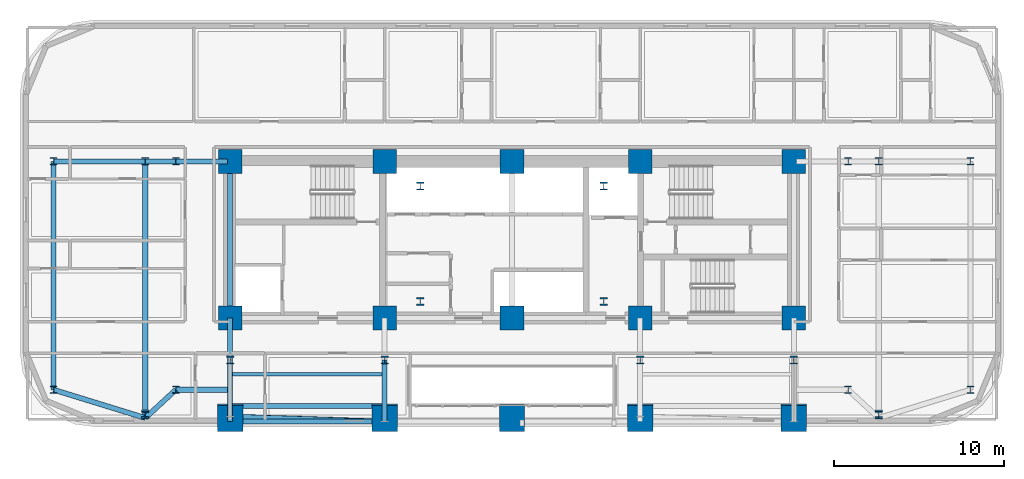
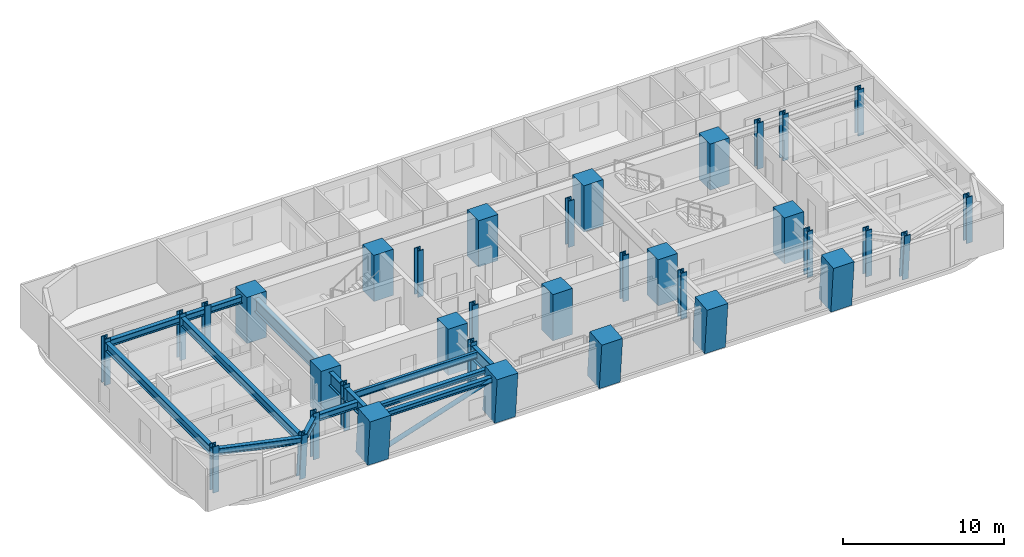
# One storey, part 1 of 16: 35 columns, 15 beams, 1 member.
"""IFC4 building model written with IfcOpenShell, lengths in metres."""

from ifc_helpers import new_model, si_unit, direction, frame, origin, origin_2d, place, context, subcontext, project, spatial, rectangle, hollow_circle, i_section, extrude, material, material_profile, profile_set, type_object, element, save


model = new_model("IFC4")

# Units and contexts
model_context = context("Model", 3, precision=1e-05, world=origin(), true_north=direction((0.0, 1.0)))
body_context = subcontext(model_context, "Body", "Model", "MODEL_VIEW")
ifc_project = project(units=[si_unit("LENGTHUNIT", "METRE"), si_unit("AREAUNIT", "SQUARE_METRE"), si_unit("VOLUMEUNIT", "CUBIC_METRE"), si_unit("PLANEANGLEUNIT", "RADIAN"), si_unit("MASSUNIT", "GRAM", prefix="KILO")], contexts=[model_context])

# Site, building, storey
site_placement = place(None, origin())
site = spatial("IfcSite", under=ifc_project, at=site_placement, CompositionType="ELEMENT")
building_placement = place(site_placement, origin())
building = spatial("IfcBuilding", under=site, at=building_placement, Name="Zarnavel Station Tower", CompositionType="ELEMENT")
storey_placement = place(building_placement, frame((0.0, 0.0, 46.5)))
storey = spatial("IfcBuildingStorey", under=building, at=storey_placement, Name="L12", CompositionType="ELEMENT", Elevation=46.5)

# Columns
ifc_material_1 = material(Name="Steel S460M", Category="steel")
ifc_material_profile_1 = material_profile(ifc_material_1, i_section(OverallWidth=0.424072265625, OverallDepth=0.449951171875, WebThickness=0.041015625, FlangeThickness=0.06494140625, FilletRadius=0.014892578125, at=origin_2d()), Name="HD400x509")
ifc_profile_set_1 = profile_set([ifc_material_profile_1], Name="Steel S460M")
column_type_1 = type_object("IfcColumnType", Name="EC_HD509", PredefinedType="COLUMN", material=ifc_profile_set_1)
for number, where, z_axis, x_axis, name in (
    (1, (1.800048828125, 23.60009765625, 0.0), (0.0, 0.0, 1.0), (1.0, 0.0, 0.0), "L12 Outer Wing South Column 1"),
    (2, (1.800048828125, 37.050048828125, 0.0), (0.0, 0.0, 1.0), (1.0, 0.0, 0.0), "L12 Outer Wing North Column 1"),
):
    element("IfcColumn", number, at=place(storey_placement, frame(where, z_axis=z_axis, x_axis=x_axis)), inside=storey, type_object=column_type_1, Name=name, PredefinedType="COLUMN", context=body_context, shape_type="SweptSolid", body=[
        extrude(i_section(OverallWidth=0.424072265625, OverallDepth=0.449951171875, WebThickness=0.041015625, FlangeThickness=0.06494140625, FilletRadius=0.014892578125, at=origin_2d()), origin(), (0.0, 0.0, 1.0), 3.5),
    ])
for number, where, z_axis, x_axis, name in (
    (3, (7.199951171875, 22.197509765625, 0.0), (0.0, -0.079891690793, 0.996803550226), (1.0, 0.0, 0.0), "L12 Raked Wing Column 2"),
    (4, (50.39990234375, 22.197509765625, 0.0), (0.0, -0.079891690793, 0.996803550226), (1.0, 0.0, 0.0), "L12 Raked Wing Column 3"),
):
    element("IfcColumn", number, at=place(storey_placement, frame(where, z_axis=z_axis, x_axis=x_axis)), inside=storey, type_object=column_type_1, Name=name, PredefinedType="COLUMN", context=body_context, shape_type="SweptSolid", body=[
        extrude(i_section(OverallWidth=0.424072265625, OverallDepth=0.449951171875, WebThickness=0.041015625, FlangeThickness=0.06494140625, FilletRadius=0.014892578125, at=origin_2d()), origin(), (0.0, 0.0, 1.0), 3.51123046875),
    ])
for number, where, z_axis, x_axis, name in (
    (5, (55.800048828125, 23.60009765625, 0.0), (0.0, 0.0, 1.0), (1.0, 0.0, 0.0), "L12 Outer Wing South Column 4"),
    (6, (55.800048828125, 37.050048828125, 0.0), (0.0, 0.0, 1.0), (1.0, 0.0, 0.0), "L12 Outer Wing North Column 4"),
):
    element("IfcColumn", number, at=place(storey_placement, frame(where, z_axis=z_axis, x_axis=x_axis)), inside=storey, type_object=column_type_1, Name=name, PredefinedType="COLUMN", context=body_context, shape_type="SweptSolid", body=[
        extrude(i_section(OverallWidth=0.424072265625, OverallDepth=0.449951171875, WebThickness=0.041015625, FlangeThickness=0.06494140625, FilletRadius=0.014892578125, at=origin_2d()), origin(), (0.0, 0.0, 1.0), 3.5),
    ])
ifc_material_2 = material(Name="Steel S460M", Category="steel")
ifc_material_profile_2 = material_profile(ifc_material_2, i_section(OverallWidth=0.424072265625, OverallDepth=0.449951171875, WebThickness=0.041015625, FlangeThickness=0.06494140625, FilletRadius=0.014892578125, at=origin_2d()), Name="HD400x509")
ifc_profile_set_2 = profile_set([ifc_material_profile_2], Name="Steel S460M")
column_type_2 = type_object("IfcColumnType", Name="IC_HD509", PredefinedType="COLUMN", material=ifc_profile_set_2)
for number, where, z_axis, x_axis, name in (
    (7, (23.39990234375, 28.800048828125, 0.0), (0.0, 0.0, 1.0), (1.0, 0.0, 0.0), "L12 Mast Spine Column 1"),
    (8, (34.199951171875, 28.800048828125, 0.0), (0.0, 0.0, 1.0), (1.0, 0.0, 0.0), "L12 Mast Spine Column 2"),
    (9, (34.199951171875, 35.60009765625, 0.0), (0.0, 0.0, 1.0), (1.0, 0.0, 0.0), "L12 Mast Spine Column 3"),
    (10, (23.39990234375, 35.60009765625, 0.0), (0.0, 0.0, 1.0), (1.0, 0.0, 0.0), "L12 Mast Spine Column 4"),
    (11, (12.199951171875, 25.35009765625, 0.0), (0.0, 0.0, 1.0), (1.0, 0.0, 0.0), "L12 Inner Spine Column 1"),
    (12, (21.300048828125, 25.35009765625, 0.0), (0.0, 0.0, 1.0), (1.0, 0.0, 0.0), "L12 Inner Spine Column 2"),
    (13, (36.35009765625, 25.35009765625, 0.0), (0.0, 0.0, 1.0), (1.0, 0.0, 0.0), "L12 Inner Spine Column 4"),
    (14, (45.39990234375, 25.35009765625, 0.0), (0.0, 0.0, 1.0), (1.0, 0.0, 0.0), "L12 Inner Spine Column 5"),
    (15, (9.0, 23.60009765625, 0.0), (0.0, 0.0, 1.0), (1.0, 0.0, 0.0), "L12 Inner Wing Spine Column 1-1"),
    (16, (9.0, 37.050048828125, 0.0), (0.0, 0.0, 1.0), (1.0, 0.0, 0.0), "L12 Inner Wing Spine Column 1-2"),
    (17, (48.60009765625, 23.60009765625, 0.0), (0.0, 0.0, 1.0), (1.0, 0.0, 0.0), "L12 Inner Wing Spine Column 2-1"),
    (18, (48.60009765625, 37.050048828125, 0.0), (0.0, 0.0, 1.0), (1.0, 0.0, 0.0), "L12 Inner Wing Spine Column 2-2"),
    (19, (7.199951171875, 37.050048828125, 0.0), (0.0, 0.0, 1.0), (1.0, 0.0, 0.0), "L12 Outer Wing North Column 2"),
    (20, (50.39990234375, 37.050048828125, 0.0), (0.0, 0.0, 1.0), (1.0, 0.0, 0.0), "L12 Outer Wing North Column 3"),
):
    element("IfcColumn", number, at=place(storey_placement, frame(where, z_axis=z_axis, x_axis=x_axis)), inside=storey, type_object=column_type_2, Name=name, PredefinedType="COLUMN", context=body_context, shape_type="SweptSolid", body=[
        extrude(i_section(OverallWidth=0.424072265625, OverallDepth=0.449951171875, WebThickness=0.041015625, FlangeThickness=0.06494140625, FilletRadius=0.014892578125, at=origin_2d()), origin(), (0.0, 0.0, 1.0), 3.5),
    ])
ifc_material_3 = material(Name="Concrete C60/75", Category="concrete")
ifc_material_profile_3 = material_profile(ifc_material_3, rectangle(XDim=1.39990234375, YDim=1.39990234375, at=origin_2d()), Name="RC1400x1400")
ifc_profile_set_3 = profile_set([ifc_material_profile_3], Name="Concrete C60/75")
column_type_3 = type_object("IfcColumnType", Name="IC_RC1400", PredefinedType="COLUMN", material=ifc_profile_set_3)
for number, where, z_axis, x_axis, name in (
    (21, (12.199951171875, 27.820068359375, 0.0), (0.0, 0.0, 1.0), (1.0, 0.0, 0.0), "L12 Core Spine Column 1-1"),
    (22, (12.199951171875, 37.050048828125, 0.0), (0.0, 0.0, 1.0), (1.0, 0.0, 0.0), "L12 Core Spine Column 1-2"),
    (23, (21.300048828125, 27.820068359375, 0.0), (0.0, 0.0, 1.0), (1.0, 0.0, 0.0), "L12 Core Spine Column 2-1"),
    (24, (21.300048828125, 37.050048828125, 0.0), (0.0, 0.0, 1.0), (1.0, 0.0, 0.0), "L12 Core Spine Column 2-2"),
    (25, (28.800048828125, 27.820068359375, 0.0), (0.0, 0.0, 1.0), (1.0, 0.0, 0.0), "L12 Core Spine Column 3-1"),
    (26, (28.800048828125, 37.050048828125, 0.0), (0.0, 0.0, 1.0), (1.0, 0.0, 0.0), "L12 Core Spine Column 3-2"),
    (27, (36.35009765625, 27.820068359375, 0.0), (0.0, 0.0, 1.0), (1.0, 0.0, 0.0), "L12 Core Spine Column 4-1"),
    (28, (36.35009765625, 37.050048828125, 0.0), (0.0, 0.0, 1.0), (1.0, 0.0, 0.0), "L12 Core Spine Column 4-2"),
    (29, (45.39990234375, 27.820068359375, 0.0), (0.0, 0.0, 1.0), (1.0, 0.0, 0.0), "L12 Core Spine Column 5-1"),
    (30, (45.39990234375, 37.050048828125, 0.0), (0.0, 0.0, 1.0), (1.0, 0.0, 0.0), "L12 Core Spine Column 5-2"),
):
    element("IfcColumn", number, at=place(storey_placement, frame(where, z_axis=z_axis, x_axis=x_axis)), inside=storey, type_object=column_type_3, Name=name, PredefinedType="COLUMN", context=body_context, shape_type="SweptSolid", body=[
        extrude(rectangle(XDim=1.39990234375, YDim=1.39990234375, at=origin_2d()), origin(), (0.0, 0.0, 1.0), 3.5),
    ])
ifc_material_4 = material(Name="Concrete C60/75", Category="concrete")
ifc_material_profile_4 = material_profile(ifc_material_4, rectangle(XDim=1.5, YDim=1.5, at=origin_2d()), Name="RC1500x1500")
ifc_profile_set_4 = profile_set([ifc_material_profile_4], Name="Concrete C60/75")
column_type_4 = type_object("IfcColumnType", Name="MC_RC1500", PredefinedType="COLUMN", material=ifc_profile_set_4)
for number, where, z_axis, x_axis, name in (
    (31, (12.199951171875, 22.01416015625, 0.0), (0.0, -0.090241349316, 0.995919925935), (1.0, 0.0, 0.0), "L12 Raked South Mega-Column 1"),
    (32, (21.300048828125, 22.01416015625, 0.0), (0.0, -0.090241349316, 0.995919925935), (1.0, 0.0, 0.0), "L12 Raked South Mega-Column 2"),
    (33, (28.800048828125, 22.01416015625, 0.0), (0.0, -0.090241349316, 0.995919925935), (1.0, 0.0, 0.0), "L12 Raked South Mega-Column 3"),
    (34, (36.35009765625, 22.01416015625, 0.0), (0.0, -0.090241349316, 0.995919925935), (1.0, 0.0, 0.0), "L12 Raked South Mega-Column 4"),
    (35, (45.39990234375, 22.01416015625, 0.0), (0.0, -0.090241349316, 0.995919925935), (1.0, 0.0, 0.0), "L12 Raked South Mega-Column 5"),
):
    element("IfcColumn", number, at=place(storey_placement, frame(where, z_axis=z_axis, x_axis=x_axis)), inside=storey, type_object=column_type_4, Name=name, PredefinedType="COLUMN", context=body_context, shape_type="SweptSolid", body=[
        extrude(rectangle(XDim=1.5, YDim=1.5, at=origin_2d()), origin(), (0.0, 0.0, 1.0), 3.514404296875),
    ])

# Member
ifc_material_5 = material(Name="Steel S355J2", Category="steel")
ifc_material_profile_5 = material_profile(ifc_material_5, hollow_circle(Radius=0.161865234375, WallThickness=0.012451171875, at=origin_2d()), Name="CHS323.9x12.5")
ifc_profile_set_5 = profile_set([ifc_material_profile_5], Name="Steel S355J2")
member_type = type_object("IfcMemberType", Name="DB_EXT_CHS324", PredefinedType="BRACE", material=ifc_profile_set_5)
member_placement = place(storey_placement, frame((12.199951171875, 22.01416015625, 0.0), z_axis=(0.941635675338, -0.030390827854, 0.335259082669), x_axis=(0.032257711549, 0.999479584607, 0.0)))
element("IfcMember", 36, at=member_placement, inside=storey, type_object=member_type, Name="L12 Persian Exterior Diagonal Frame Brace 1", PredefinedType="BRACE", context=body_context, shape_type="SweptSolid", body=[
    extrude(hollow_circle(Radius=0.161865234375, WallThickness=0.012451171875, at=origin_2d()), origin(), (0.0, 0.0, 1.0), 9.6640625),
])

# Beams
ifc_material_6 = material(Name="Steel S355J2", Category="steel")
ifc_material_profile_6 = material_profile(ifc_material_6, i_section(OverallWidth=0.300048828125, OverallDepth=0.39990234375, WebThickness=0.013427734375, FlangeThickness=0.02392578125, FilletRadius=0.027099609375, at=origin_2d()), Name="HEB400")
ifc_profile_set_6 = profile_set([ifc_material_profile_6], Name="Steel S355J2")
beam_type_1 = type_object("IfcBeamType", Name="EB_HEB400", PredefinedType="SPANDREL", material=ifc_profile_set_6)
beam_1_placement = place(storey_placement, frame((12.199951171875, 21.720458984375, 3.0400390625), z_axis=(1.0, 0.0, 0.0), x_axis=(0.0, 1.0, 0.0)))
element("IfcBeam", 37, at=beam_1_placement, inside=storey, type_object=beam_type_1, Name="L12 South Raked Spandrel 1", PredefinedType="SPANDREL", context=body_context, shape_type="SweptSolid", body=[
    extrude(i_section(OverallWidth=0.300048828125, OverallDepth=0.39990234375, WebThickness=0.013427734375, FlangeThickness=0.02392578125, FilletRadius=0.027099609375, at=origin_2d()), origin(), (0.0, 0.0, 1.0), 9.10009765625),
])
ifc_material_7 = material(Name="Steel S355J2", Category="steel")
ifc_material_profile_7 = material_profile(ifc_material_7, i_section(OverallWidth=0.300048828125, OverallDepth=0.35009765625, WebThickness=0.010009765625, FlangeThickness=0.017578125, FilletRadius=0.027099609375, at=origin_2d()), Name="HEA360")
ifc_profile_set_7 = profile_set([ifc_material_profile_7], Name="Steel S355J2")
beam_type_2 = type_object("IfcBeamType", Name="FB_HEA360", PredefinedType="BEAM", material=ifc_profile_set_7)
beam_2_placement = place(storey_placement, frame((12.344970703125, 22.64697265625, 3.06494140625), z_axis=(1.0, 0.0, 0.0), x_axis=(0.0, 1.0, 0.0)))
element("IfcBeam", 38, at=beam_2_placement, inside=storey, type_object=beam_type_2, Name="L12 West Bay Beam 1", PredefinedType="BEAM", context=body_context, shape_type="SweptSolid", body=[
    extrude(i_section(OverallWidth=0.300048828125, OverallDepth=0.35009765625, WebThickness=0.010009765625, FlangeThickness=0.017578125, FilletRadius=0.027099609375, at=origin_2d()), origin(), (0.0, 0.0, 1.0), 8.81005859375),
])
ifc_material_8 = material(Name="Steel S355J2", Category="steel")
ifc_material_profile_8 = material_profile(ifc_material_8, i_section(OverallWidth=0.199951171875, OverallDepth=0.5, WebThickness=0.01025390625, FlangeThickness=0.01611328125, FilletRadius=0.02099609375, at=origin_2d()), Name="IPE500")
ifc_profile_set_8 = profile_set([ifc_material_profile_8], Name="Steel S355J2")
beam_type_3 = type_object("IfcBeamType", Name="FB_IPE500", PredefinedType="BEAM", material=ifc_profile_set_8)
beam_3_placement = place(storey_placement, frame((12.344970703125, 24.5234375, 2.989990234375), z_axis=(1.0, 0.0, 0.0), x_axis=(0.0, 1.0, 0.0)))
element("IfcBeam", 39, at=beam_3_placement, inside=storey, type_object=beam_type_3, Name="L12 West Bay Beam 2", PredefinedType="BEAM", context=body_context, shape_type="SweptSolid", body=[
    extrude(i_section(OverallWidth=0.199951171875, OverallDepth=0.5, WebThickness=0.01025390625, FlangeThickness=0.01611328125, FilletRadius=0.02099609375, at=origin_2d()), origin(), (0.0, 0.0, 1.0), 8.81005859375),
])
ifc_material_9 = material(Name="Steel S355J2", Category="steel")
ifc_material_profile_9 = material_profile(ifc_material_9, i_section(OverallWidth=0.300048828125, OverallDepth=0.5, WebThickness=0.014404296875, FlangeThickness=0.028076171875, FilletRadius=0.027099609375, at=origin_2d()), Name="HEB500")
ifc_profile_set_9 = profile_set([ifc_material_profile_9], Name="Steel S355J2")
beam_type_4 = type_object("IfcBeamType", Name="FG_HEB500", PredefinedType="USERDEFINED", material=ifc_profile_set_9)
beam_4_placement = place(storey_placement, frame((1.800048828125, 23.60009765625, 2.989990234375), z_axis=(0.955736955993, -0.294222485458, 0.0), x_axis=(0.294222485458, 0.955736955993, 0.0)))
element("IfcBeam", 40, at=beam_4_placement, inside=storey, type_object=beam_type_4, Name="L12 West Wing South Tie 1", ObjectType="GIRDER", PredefinedType="USERDEFINED", context=body_context, shape_type="SweptSolid", body=[
    extrude(i_section(OverallWidth=0.300048828125, OverallDepth=0.5, WebThickness=0.014404296875, FlangeThickness=0.028076171875, FilletRadius=0.027099609375, at=origin_2d()), origin(), (0.0, 0.0, 1.0), 5.64990234375),
])
beam_5_placement = place(storey_placement, frame((1.800048828125, 37.050048828125, 2.989990234375), z_axis=(1.0, 0.0, 0.0), x_axis=(0.0, 1.0, 0.0)))
element("IfcBeam", 41, at=beam_5_placement, inside=storey, type_object=beam_type_4, Name="L12 West Wing North Tie 1", ObjectType="GIRDER", PredefinedType="USERDEFINED", context=body_context, shape_type="SweptSolid", body=[
    extrude(i_section(OverallWidth=0.300048828125, OverallDepth=0.5, WebThickness=0.014404296875, FlangeThickness=0.028076171875, FilletRadius=0.027099609375, at=origin_2d()), origin(), (0.0, 0.0, 1.0), 5.39990234375),
])
beam_6_placement = place(storey_placement, frame((7.199951171875, 21.937744140625, 2.989990234375), z_axis=(0.734646802187, 0.678449759405, 0.0), x_axis=(-0.678449759405, 0.734646802187, 0.0)))
element("IfcBeam", 42, at=beam_6_placement, inside=storey, type_object=beam_type_4, Name="L12 West Wing South Tie 2", ObjectType="GIRDER", PredefinedType="USERDEFINED", context=body_context, shape_type="SweptSolid", body=[
    extrude(i_section(OverallWidth=0.300048828125, OverallDepth=0.5, WebThickness=0.014404296875, FlangeThickness=0.028076171875, FilletRadius=0.027099609375, at=origin_2d()), origin(), (0.0, 0.0, 1.0), 2.4501953125),
])
beam_7_placement = place(storey_placement, frame((7.199951171875, 37.050048828125, 2.989990234375), z_axis=(1.0, 0.0, 0.0), x_axis=(0.0, 1.0, 0.0)))
element("IfcBeam", 43, at=beam_7_placement, inside=storey, type_object=beam_type_4, Name="L12 West Wing North Tie 2", ObjectType="GIRDER", PredefinedType="USERDEFINED", context=body_context, shape_type="SweptSolid", body=[
    extrude(i_section(OverallWidth=0.300048828125, OverallDepth=0.5, WebThickness=0.014404296875, FlangeThickness=0.028076171875, FilletRadius=0.027099609375, at=origin_2d()), origin(), (0.0, 0.0, 1.0), 1.800048828125),
])
for number, where, z_axis, x_axis, name in (
    (44, (9.0, 23.60009765625, 2.989990234375), (1.0, 0.0, 0.0), (0.0, 1.0, 0.0), "L12 West Wing South Tie 3"),
    (45, (9.0, 37.050048828125, 2.989990234375), (1.0, 0.0, 0.0), (0.0, 1.0, 0.0), "L12 West Wing North Tie 3"),
):
    element("IfcBeam", number, at=place(storey_placement, frame(where, z_axis=z_axis, x_axis=x_axis)), inside=storey, type_object=beam_type_4, Name=name, ObjectType="GIRDER", PredefinedType="USERDEFINED", context=body_context, shape_type="SweptSolid", body=[
        extrude(i_section(OverallWidth=0.300048828125, OverallDepth=0.5, WebThickness=0.014404296875, FlangeThickness=0.028076171875, FilletRadius=0.027099609375, at=origin_2d()), origin(), (0.0, 0.0, 1.0), 3.054931640625),
    ])
ifc_material_10 = material(Name="Steel S355J2", Category="steel")
ifc_material_profile_10 = material_profile(ifc_material_10, i_section(OverallWidth=0.300048828125, OverallDepth=0.64990234375, WebThickness=0.01611328125, FlangeThickness=0.031005859375, FilletRadius=0.027099609375, at=origin_2d()), Name="HEB650")
ifc_profile_set_10 = profile_set([ifc_material_profile_10], Name="Steel S355J2")
beam_type_5 = type_object("IfcBeamType", Name="FG_HEB650", PredefinedType="USERDEFINED", material=ifc_profile_set_10)
beam_8_placement = place(storey_placement, frame((1.800048828125, 23.60009765625, 2.9150390625), z_axis=(0.0, 1.0, 0.0), x_axis=(-1.0, 0.0, 0.0)))
element("IfcBeam", 46, at=beam_8_placement, inside=storey, type_object=beam_type_5, Name="L12 Wing NS Girder 1", ObjectType="GIRDER", PredefinedType="USERDEFINED", context=body_context, shape_type="SweptSolid", body=[
    extrude(i_section(OverallWidth=0.300048828125, OverallDepth=0.64990234375, WebThickness=0.01611328125, FlangeThickness=0.031005859375, FilletRadius=0.027099609375, at=origin_2d()), origin(), (0.0, 0.0, 1.0), 13.449951171875),
])
beam_9_placement = place(storey_placement, frame((7.199951171875, 21.937744140625, 2.9150390625), z_axis=(0.0, 1.0, 0.0), x_axis=(-1.0, 0.0, 0.0)))
element("IfcBeam", 47, at=beam_9_placement, inside=storey, type_object=beam_type_5, Name="L12 Wing NS Girder 2", ObjectType="GIRDER", PredefinedType="USERDEFINED", context=body_context, shape_type="SweptSolid", body=[
    extrude(i_section(OverallWidth=0.300048828125, OverallDepth=0.64990234375, WebThickness=0.01611328125, FlangeThickness=0.031005859375, FilletRadius=0.027099609375, at=origin_2d()), origin(), (0.0, 0.0, 1.0), 15.1123046875),
])
ifc_material_11 = material(Name="Steel S460M", Category="steel")
ifc_material_profile_11 = material_profile(ifc_material_11, i_section(OverallWidth=0.302001953125, OverallDepth=1.008056640625, WebThickness=0.02099609375, FlangeThickness=0.0400390625, FilletRadius=0.030029296875, at=origin_2d()), Name="HEM1000")
ifc_profile_set_11 = profile_set([ifc_material_profile_11], Name="Steel S460M")
beam_type_6 = type_object("IfcBeamType", Name="TG_HEM1000", PredefinedType="USERDEFINED", material=ifc_profile_set_11)
beam_10_placement = place(storey_placement, frame((12.199951171875, 27.820068359375, 2.736083984375), z_axis=(0.0, 1.0, 0.0), x_axis=(-1.0, 0.0, 0.0)))
element("IfcBeam", 48, at=beam_10_placement, inside=storey, type_object=beam_type_6, Name="L12 Core Spine Coupling Girder 1", ObjectType="GIRDER", PredefinedType="USERDEFINED", context=body_context, shape_type="SweptSolid", body=[
    extrude(i_section(OverallWidth=0.302001953125, OverallDepth=1.008056640625, WebThickness=0.02099609375, FlangeThickness=0.0400390625, FilletRadius=0.030029296875, at=origin_2d()), origin(), (0.0, 0.0, 1.0), 9.22998046875),
])
beam_11_placement = place(storey_placement, frame((12.199951171875, 21.720458984375, 2.736083984375), z_axis=(0.0, 1.0, 0.0), x_axis=(-1.0, 0.0, 0.0)))
element("IfcBeam", 49, at=beam_11_placement, inside=storey, type_object=beam_type_6, Name="L12 South-Zone NS Girder 1", ObjectType="GIRDER", PredefinedType="USERDEFINED", context=body_context, shape_type="SweptSolid", body=[
    extrude(i_section(OverallWidth=0.302001953125, OverallDepth=1.008056640625, WebThickness=0.02099609375, FlangeThickness=0.0400390625, FilletRadius=0.030029296875, at=origin_2d()), origin(), (0.0, 0.0, 1.0), 3.629638671875),
])
beam_12_placement = place(storey_placement, frame((12.199951171875, 25.35009765625, 2.736083984375), z_axis=(0.0, 1.0, 0.0), x_axis=(-1.0, 0.0, 0.0)))
element("IfcBeam", 50, at=beam_12_placement, inside=storey, type_object=beam_type_6, Name="L12 Inner-Zone NS Girder 1", ObjectType="GIRDER", PredefinedType="USERDEFINED", context=body_context, shape_type="SweptSolid", body=[
    extrude(i_section(OverallWidth=0.302001953125, OverallDepth=1.008056640625, WebThickness=0.02099609375, FlangeThickness=0.0400390625, FilletRadius=0.030029296875, at=origin_2d()), origin(), (0.0, 0.0, 1.0), 2.469970703125),
])
beam_13_placement = place(storey_placement, frame((21.300048828125, 21.720458984375, 2.736083984375), z_axis=(0.0, 1.0, 0.0), x_axis=(-1.0, 0.0, 0.0)))
element("IfcBeam", 51, at=beam_13_placement, inside=storey, type_object=beam_type_6, Name="L12 South-Zone NS Girder 2", ObjectType="GIRDER", PredefinedType="USERDEFINED", context=body_context, shape_type="SweptSolid", body=[
    extrude(i_section(OverallWidth=0.302001953125, OverallDepth=1.008056640625, WebThickness=0.02099609375, FlangeThickness=0.0400390625, FilletRadius=0.030029296875, at=origin_2d()), origin(), (0.0, 0.0, 1.0), 3.629638671875),
])

save(model, "model.ifc")
